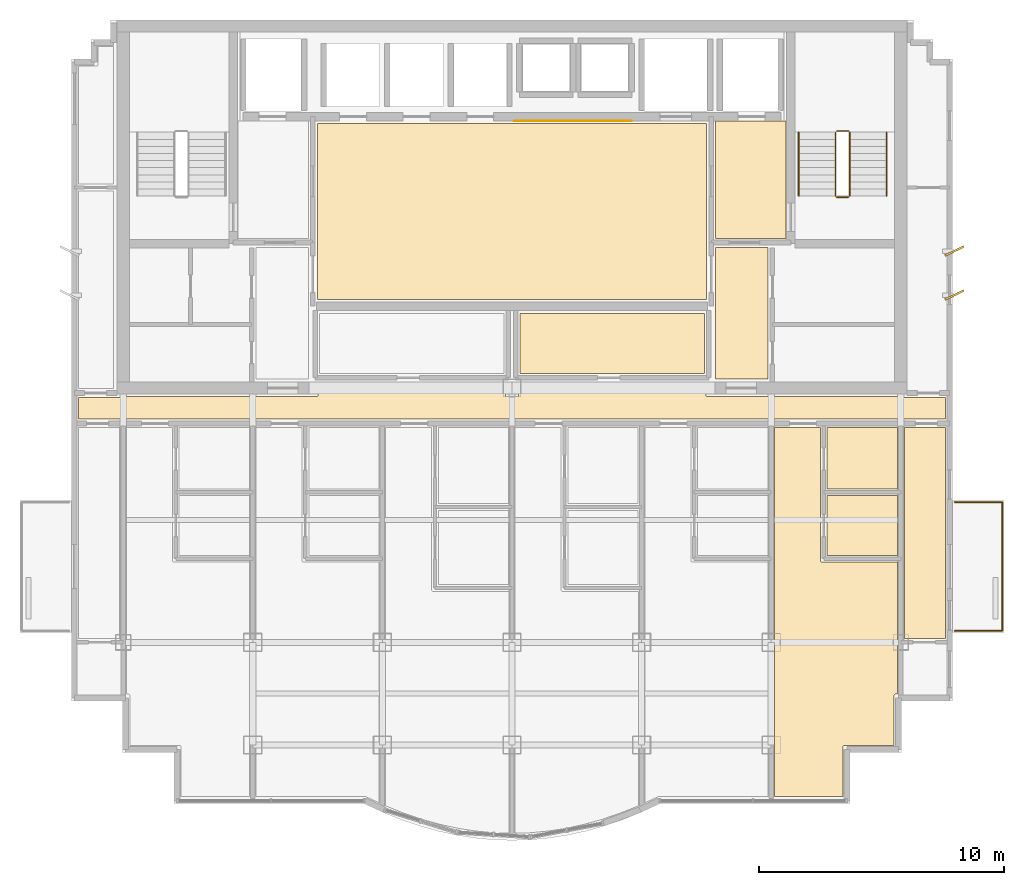
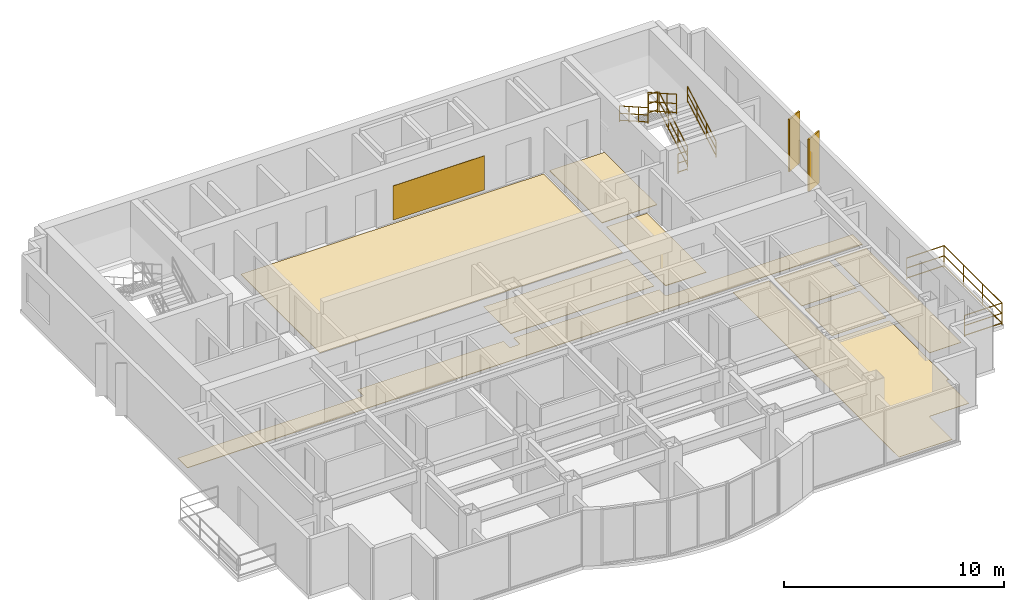
# One storey, part 9 of 9: 10 coverings, 7 railings, 2 shading devices.
"""IFC4 building model written with IfcOpenShell, lengths in metres."""

from ifc_helpers import new_model, si_unit, direction, frame, origin, origin_2d, place, context, subcontext, project, spatial, polyline, rectangle, circle, outline, extrude, source, transform, mapped, material, layer, layer_set, type_object, element, save


model = new_model("IFC4")

# Units and contexts
model_context = context("Model", 3, precision=1e-05, world=origin(), true_north=direction((0.0, 1.0)))
body_context = subcontext(model_context, "Body", "Model", "MODEL_VIEW")
ifc_project = project(units=[si_unit("LENGTHUNIT", "METRE"), si_unit("AREAUNIT", "SQUARE_METRE"), si_unit("VOLUMEUNIT", "CUBIC_METRE"), si_unit("PLANEANGLEUNIT", "RADIAN"), si_unit("MASSUNIT", "GRAM", prefix="KILO")], contexts=[model_context])

# Site, building, storey
site_placement = place(None, origin())
site = spatial("IfcSite", under=ifc_project, at=site_placement, CompositionType="ELEMENT")
building_placement = place(site_placement, origin())
building = spatial("IfcBuilding", under=site, at=building_placement, Name="Qianlan Lanfeng Residences", CompositionType="ELEMENT")
storey_placement = place(building_placement, frame((0.0, 0.0, 233.0)))
storey = spatial("IfcBuildingStorey", under=building, at=storey_placement, Name="L64", CompositionType="ELEMENT", Elevation=233.0)

# Coverings
ifc_material_1 = material(Name="Anodised Bronze Feature Wall Cladding")
ifc_layer_1 = layer(ifc_material_1, 0.02490234375)
ifc_layer_set_1 = layer_set([ifc_layer_1], Name="Anodised Bronze Feature Wall Cladding")
covering_type_1 = type_object("IfcCoveringType", Name="CLD-BRZ-25", PredefinedType="CLADDING", material=ifc_layer_set_1)
covering_1_placement = place(storey_placement, frame((0.0, 0.0, 0.14990234375)))
element("IfcCovering", 1, at=covering_1_placement, inside=storey, type_object=covering_type_1, Name="L64 Lift Lobby Bronze Feature Cladding", PredefinedType="CLADDING", context=body_context, shape_type="SweptSolid", body=[
    extrude(outline(polyline([(26.60009765625, 36.10009765625), (31.39990234375, 36.10009765625), (31.39990234375, 36.125), (26.60009765625, 36.125), (26.60009765625, 36.10009765625)])), origin(), (0.0, 0.0, 1.0), 1.900146484375),
])
ifc_material_2 = material(Name="Honed Taitung Granite Stone Flooring", Category="masonry")
ifc_layer_2 = layer(ifc_material_2, 0.030029296875)
ifc_layer_set_2 = layer_set([ifc_layer_2], Name="Honed Taitung Granite Stone Flooring")
covering_type_2 = type_object("IfcCoveringType", Name="FLR-STN-30", PredefinedType="FLOORING", material=ifc_layer_set_2)
covering_2_placement = place(storey_placement, origin())
element("IfcCovering", 2, at=covering_2_placement, inside=storey, type_object=covering_type_2, Name="L64 Firefighting Lift Lobby Floor Finish", PredefinedType="FLOORING", context=body_context, shape_type="SweptSolid", body=[
    extrude(outline(polyline([(34.820068359375, 31.320068359375), (37.7099609375, 31.320068359375), (37.7099609375, 36.110107421875), (34.820068359375, 36.110107421875), (34.820068359375, 31.320068359375)])), origin(), (0.0, 0.0, 1.0), 0.030029296875),
])
covering_3_placement = place(storey_placement, origin())
element("IfcCovering", 3, at=covering_3_placement, inside=storey, type_object=covering_type_2, Name="L64 Lift Lobby Floor Finish", PredefinedType="FLOORING", context=body_context, shape_type="SweptSolid", body=[
    extrude(outline(polyline([(18.550048828125, 28.820068359375), (34.449951171875, 28.820068359375), (34.449951171875, 36.010009765625), (18.550048828125, 36.010009765625), (18.550048828125, 28.820068359375)])), origin(), (0.0, 0.0, 1.0), 0.030029296875),
])
covering_4_placement = place(storey_placement, origin())
element("IfcCovering", 4, at=covering_4_placement, inside=storey, type_object=covering_type_2, Name="L64 Residential Corridor Floor Finish", PredefinedType="FLOORING", context=body_context, shape_type="SweptSolid", body=[
    extrude(outline(polyline([(8.77001953125, 23.929931640625), (44.22998046875, 23.929931640625), (44.22998046875, 24.820068359375), (42.5400390625, 24.820068359375), (42.532958984375, 24.820068359375), (42.52587890625, 24.821044921875), (42.52001953125, 24.822998046875), (42.512939453125, 24.824951171875), (42.507080078125, 24.827880859375), (42.5009765625, 24.83203125), (42.49609375, 24.8359375), (42.490966796875, 24.841064453125), (42.486083984375, 24.845947265625), (42.48291015625, 24.85009765625), (34.5, 24.85009765625), (34.492919921875, 24.85009765625), (34.486083984375, 24.85107421875), (34.47998046875, 24.85302734375), (34.472900390625, 24.85498046875), (34.467041015625, 24.85791015625), (34.4609375, 24.862060546875), (34.4560546875, 24.865966796875), (34.450927734375, 24.87109375), (34.446044921875, 24.8759765625), (34.44189453125, 24.881103515625), (34.43798828125, 24.886962890625), (34.43505859375, 24.89306640625), (34.43310546875, 24.89990234375), (34.430908203125, 24.906005859375), (34.429931640625, 24.9130859375), (34.429931640625, 24.919921875), (34.429931640625, 25.429931640625), (26.77001953125, 25.429931640625), (26.77001953125, 24.919921875), (26.77001953125, 24.9130859375), (26.76904296875, 24.906005859375), (26.76708984375, 24.89990234375), (26.764892578125, 24.89306640625), (26.761962890625, 24.886962890625), (26.758056640625, 24.881103515625), (26.75390625, 24.8759765625), (26.7490234375, 24.87109375), (26.743896484375, 24.865966796875), (26.739013671875, 24.862060546875), (26.73291015625, 24.85791015625), (26.72705078125, 24.85498046875), (26.719970703125, 24.85302734375), (26.714111328125, 24.85107421875), (26.70703125, 24.85009765625), (26.699951171875, 24.85009765625), (26.300048828125, 24.85009765625), (26.29296875, 24.85009765625), (26.285888671875, 24.85107421875), (26.280029296875, 24.85302734375), (26.27294921875, 24.85498046875), (26.26708984375, 24.85791015625), (26.260986328125, 24.862060546875), (26.256103515625, 24.865966796875), (26.2509765625, 24.87109375), (26.24609375, 24.8759765625), (26.241943359375, 24.881103515625), (26.238037109375, 24.886962890625), (26.235107421875, 24.89306640625), (26.23291015625, 24.89990234375), (26.23095703125, 24.906005859375), (26.22998046875, 24.9130859375), (26.22998046875, 24.919921875), (26.22998046875, 25.429931640625), (18.570068359375, 25.429931640625), (18.570068359375, 24.919921875), (18.570068359375, 24.9130859375), (18.569091796875, 24.906005859375), (18.56689453125, 24.89990234375), (18.56494140625, 24.89306640625), (18.56201171875, 24.886962890625), (18.55810546875, 24.881103515625), (18.553955078125, 24.8759765625), (18.549072265625, 24.87109375), (18.5439453125, 24.865966796875), (18.5390625, 24.862060546875), (18.532958984375, 24.85791015625), (18.527099609375, 24.85498046875), (18.52001953125, 24.85302734375), (18.513916015625, 24.85107421875), (18.507080078125, 24.85009765625), (18.5, 24.85009765625), (10.51708984375, 24.85009765625), (10.513916015625, 24.845947265625), (10.509033203125, 24.841064453125), (10.50390625, 24.8359375), (10.4990234375, 24.83203125), (10.492919921875, 24.827880859375), (10.487060546875, 24.824951171875), (10.47998046875, 24.822998046875), (10.47412109375, 24.821044921875), (10.467041015625, 24.820068359375), (10.4599609375, 24.820068359375), (8.77001953125, 24.820068359375), (8.77001953125, 23.929931640625)])), origin(), (0.0, 0.0, 1.0), 0.030029296875),
])
covering_5_placement = place(storey_placement, origin())
element("IfcCovering", 5, at=covering_5_placement, inside=storey, type_object=covering_type_2, Name="L64 Lift Lobby Floor Finish", PredefinedType="FLOORING", context=body_context, shape_type="SweptSolid", body=[
    extrude(outline(polyline([(34.830078125, 25.56005859375), (36.969970703125, 25.56005859375), (36.969970703125, 30.949951171875), (34.830078125, 30.949951171875), (34.830078125, 25.56005859375)])), origin(), (0.0, 0.0, 1.0), 0.030029296875),
])
ifc_material_3 = material(Name="Slip-Resistant Porcelain Tile Flooring")
ifc_layer_3 = layer(ifc_material_3, 0.02001953125)
ifc_layer_set_3 = layer_set([ifc_layer_3], Name="Slip-Resistant Porcelain Tile Flooring")
covering_type_3 = type_object("IfcCoveringType", Name="FLR-TIL-20", PredefinedType="FLOORING", material=ifc_layer_set_3)
covering_6_placement = place(storey_placement, origin())
element("IfcCovering", 6, at=covering_6_placement, inside=storey, type_object=covering_type_3, Name="L64 Kitchen Floor Finish", PredefinedType="FLOORING", context=body_context, shape_type="SweptSolid", body=[
    extrude(outline(polyline([(39.389892578125, 18.360107421875), (42.260009765625, 18.360107421875), (42.260009765625, 20.794921875), (39.389892578125, 20.794921875), (39.389892578125, 18.360107421875)])), origin(), (0.0, 0.0, 1.0), 0.02001953125),
])
covering_7_placement = place(storey_placement, origin())
element("IfcCovering", 7, at=covering_7_placement, inside=storey, type_object=covering_type_3, Name="L64 Bathroom Floor Finish", PredefinedType="FLOORING", context=body_context, shape_type="SweptSolid", body=[
    extrude(outline(polyline([(39.389892578125, 21.074951171875), (42.260009765625, 21.074951171875), (42.260009765625, 23.580078125), (39.389892578125, 23.580078125), (39.389892578125, 21.074951171875)])), origin(), (0.0, 0.0, 1.0), 0.02001953125),
])
ifc_material_4 = material(Name="Engineered Smoked Oak Timber Flooring", Category="wood")
ifc_layer_4 = layer(ifc_material_4, 0.02197265625)
ifc_layer_set_4 = layer_set([ifc_layer_4], Name="Engineered Smoked Oak Timber Flooring")
covering_type_4 = type_object("IfcCoveringType", Name="FLR-TIM-22", PredefinedType="FLOORING", material=ifc_layer_set_4)
covering_8_placement = place(storey_placement, origin())
element("IfcCovering", 8, at=covering_8_placement, inside=storey, type_object=covering_type_4, Name="L64 Tea Room Floor Finish", PredefinedType="FLOORING", context=body_context, shape_type="SweptSolid", body=[
    extrude(outline(polyline([(26.830078125, 25.800048828125), (34.3701171875, 25.800048828125), (34.3701171875, 28.2548828125), (26.830078125, 28.2548828125), (26.830078125, 25.800048828125)])), origin(), (0.0, 0.0, 1.0), 0.02197265625),
])
covering_9_placement = place(storey_placement, origin())
element("IfcCovering", 9, at=covering_9_placement, inside=storey, type_object=covering_type_4, Name="L64 Studio Living Room Floor Finish", PredefinedType="FLOORING", context=body_context, shape_type="SweptSolid", body=[
    extrude(outline(polyline([(42.27001953125, 12.68994140625), (42.27001953125, 18.080078125), (39.179931640625, 18.080078125), (39.173095703125, 18.080078125), (39.166015625, 18.0810546875), (39.159912109375, 18.0830078125), (39.153076171875, 18.0849609375), (39.14697265625, 18.087890625), (39.14111328125, 18.092041015625), (39.135986328125, 18.095947265625), (39.131103515625, 18.10107421875), (39.1259765625, 18.10595703125), (39.1220703125, 18.111083984375), (39.117919921875, 18.116943359375), (39.114990234375, 18.123046875), (39.113037109375, 18.1298828125), (39.111083984375, 18.135986328125), (39.110107421875, 18.14306640625), (39.110107421875, 18.14990234375), (39.110107421875, 23.580078125), (37.22998046875, 23.580078125), (37.22998046875, 8.489990234375), (40.030029296875, 8.489990234375), (40.030029296875, 10.52001953125), (40.030029296875, 10.527099609375), (40.031005859375, 10.533935546875), (40.032958984375, 10.5400390625), (40.034912109375, 10.547119140625), (40.0380859375, 10.552978515625), (40.0419921875, 10.55908203125), (40.0458984375, 10.56396484375), (40.051025390625, 10.569091796875), (40.055908203125, 10.573974609375), (40.06103515625, 10.577880859375), (40.06689453125, 10.58203125), (40.072998046875, 10.5849609375), (40.080078125, 10.5869140625), (40.0859375, 10.589111328125), (40.093017578125, 10.590087890625), (40.10009765625, 10.590087890625), (42.1298828125, 10.590087890625), (42.1298828125, 12.6201171875), (42.1298828125, 12.626953125), (42.131103515625, 12.634033203125), (42.133056640625, 12.639892578125), (42.135009765625, 12.64697265625), (42.137939453125, 12.653076171875), (42.14208984375, 12.658935546875), (42.14599609375, 12.6640625), (42.15087890625, 12.6689453125), (42.156005859375, 12.674072265625), (42.160888671875, 12.677978515625), (42.1669921875, 12.681884765625), (42.173095703125, 12.68505859375), (42.179931640625, 12.68701171875), (42.18603515625, 12.68896484375), (42.193115234375, 12.68994140625), (42.199951171875, 12.68994140625), (42.27001953125, 12.68994140625)])), origin(), (0.0, 0.0, 1.0), 0.02197265625),
])
covering_10_placement = place(storey_placement, origin())
element("IfcCovering", 10, at=covering_10_placement, inside=storey, type_object=covering_type_4, Name="L64 Private Study Floor Finish", PredefinedType="FLOORING", context=body_context, shape_type="SweptSolid", body=[
    extrude(outline(polyline([(44.22998046875, 23.580078125), (42.56005859375, 23.580078125), (42.56005859375, 14.949951171875), (44.22998046875, 14.949951171875), (44.22998046875, 23.580078125)])), origin(), (0.0, 0.0, 1.0), 0.02197265625),
])

# Railings
ifc_material_5 = material(Name="Anodised Bronze Aluminium and Laminated Glass Guard Balustrade", Category="aluminium")
railing_type_1 = type_object("IfcRailingType", Name="GR-EXT-1220", PredefinedType="BALUSTRADE", material=ifc_material_5)
railing_1_placement = place(storey_placement, frame((44.590087890625, 20.530029296875, 0.0)))
element("IfcRailing", 11, at=railing_1_placement, inside=storey, type_object=railing_type_1, Name="L64 Terrace Safety Guard GR-L64-EB-N", PredefinedType="BALUSTRADE", context=body_context, shape_type="SweptSolid", body=[
    extrude(circle(Radius=0.02490234375, at=origin_2d()), frame((0.0, 0.0, 0.0849609375), z_axis=(1.0, 0.0, 0.0), x_axis=(0.0, 1.0, 0.0)), (0.0, 0.0, 1.0), 1.9599609375),
    extrude(circle(Radius=0.02490234375, at=origin_2d()), frame((0.0, 0.0, 0.63427734375), z_axis=(1.0, 0.0, 0.0), x_axis=(0.0, 1.0, 0.0)), (0.0, 0.0, 1.0), 1.9599609375),
    extrude(circle(Radius=0.02490234375, at=origin_2d()), frame((0.0, 0.0, 1.19482421875), z_axis=(1.0, 0.0, 0.0), x_axis=(0.0, 1.0, 0.0)), (0.0, 0.0, 1.0), 1.9599609375),
    extrude(circle(Radius=0.02490234375, at=origin_2d()), frame((1.9599609375, 0.0, 0.0849609375), z_axis=(0.0, -1.0, 0.0), x_axis=(1.0, 0.0, 0.0)), (0.0, 0.0, 1.0), 5.260009765625),
    extrude(circle(Radius=0.02490234375, at=origin_2d()), frame((1.9599609375, 0.0, 0.63427734375), z_axis=(0.0, -1.0, 0.0), x_axis=(1.0, 0.0, 0.0)), (0.0, 0.0, 1.0), 5.260009765625),
    extrude(circle(Radius=0.02490234375, at=origin_2d()), frame((1.9599609375, 0.0, 1.19482421875), z_axis=(0.0, -1.0, 0.0), x_axis=(1.0, 0.0, 0.0)), (0.0, 0.0, 1.0), 5.260009765625),
    extrude(circle(Radius=0.02490234375, at=origin_2d()), frame((1.9599609375, -5.260009765625, 0.0849609375), z_axis=(-1.0, 0.0, 0.0), x_axis=(0.0, -1.0, 0.0)), (0.0, 0.0, 1.0), 1.9599609375),
    extrude(circle(Radius=0.02490234375, at=origin_2d()), frame((1.9599609375, -5.260009765625, 0.63427734375), z_axis=(-1.0, 0.0, 0.0), x_axis=(0.0, -1.0, 0.0)), (0.0, 0.0, 1.0), 1.9599609375),
    extrude(circle(Radius=0.02490234375, at=origin_2d()), frame((1.9599609375, -5.260009765625, 1.19482421875), z_axis=(-1.0, 0.0, 0.0), x_axis=(0.0, -1.0, 0.0)), (0.0, 0.0, 1.0), 1.9599609375),
    extrude(circle(Radius=0.02099609375, at=origin_2d()), origin(), (0.0, 0.0, 1.0), 1.169921875),
    extrude(circle(Radius=0.02099609375, at=origin_2d()), frame((1.9599609375, 0.0, 0.0)), (0.0, 0.0, 1.0), 1.169921875),
    extrude(circle(Radius=0.02099609375, at=origin_2d()), frame((1.9599609375, -1.75341796875, 0.0)), (0.0, 0.0, 1.0), 1.169921875),
    extrude(circle(Radius=0.02099609375, at=origin_2d()), frame((1.9599609375, -3.506591796875, 0.0)), (0.0, 0.0, 1.0), 1.169921875),
    extrude(circle(Radius=0.02099609375, at=origin_2d()), frame((1.9599609375, -5.260009765625, 0.0)), (0.0, 0.0, 1.0), 1.169921875),
    extrude(circle(Radius=0.02099609375, at=origin_2d()), frame((0.0, -5.260009765625, 0.0)), (0.0, 0.0, 1.0), 1.169921875),
])
ifc_material_6 = material(Name="Painted Galvanised Steel Guardrail", Category="steel")
railing_type_2 = type_object("IfcRailingType", Name="GR-ST-1120", PredefinedType="GUARDRAIL", material=ifc_material_6)
railing_2_placement = place(storey_placement, frame((40.31005859375, 33.050048828125, 0.1650390625)))
element("IfcRailing", 12, at=railing_2_placement, inside=storey, type_object=railing_type_2, Name="L64 ST-2 stair guard 1", PredefinedType="GUARDRAIL", context=body_context, shape_type="SweptSolid", body=[
    extrude(circle(Radius=0.02392578125, at=origin_2d()), frame((0.0, 0.0, 0.083984375), z_axis=(0.0, 0.869172267526, 0.494509422927), x_axis=(-1.0, 0.0, 0.0)), (0.0, 0.0, 1.0), 3.002685546875),
    extrude(circle(Radius=0.02392578125, at=origin_2d()), frame((0.0, 0.0, 0.58251953125), z_axis=(0.0, 0.869172267526, 0.494509422927), x_axis=(-1.0, 0.0, 0.0)), (0.0, 0.0, 1.0), 3.002685546875),
    extrude(circle(Radius=0.02392578125, at=origin_2d()), frame((0.0, 0.0, 1.09619140625), z_axis=(0.0, 0.869172267526, 0.494509422927), x_axis=(-1.0, 0.0, 0.0)), (0.0, 0.0, 1.0), 3.002685546875),
    extrude(circle(Radius=0.02099609375, at=origin_2d()), origin(), (0.0, 0.0, 1.0), 1.072021484375),
    extrude(circle(Radius=0.02099609375, at=origin_2d()), frame((0.0, 0.869873046875, 0.494873046875)), (0.0, 0.0, 1.0), 1.072021484375),
    extrude(circle(Radius=0.02099609375, at=origin_2d()), frame((0.0, 1.739990234375, 0.989990234375)), (0.0, 0.0, 1.0), 1.072021484375),
    extrude(circle(Radius=0.02099609375, at=origin_2d()), frame((0.0, 2.60986328125, 1.48486328125)), (0.0, 0.0, 1.0), 1.072021484375),
])
railing_3_placement = place(storey_placement, frame((40.260009765625, 35.7099609375, 1.64990234375)))
element("IfcRailing", 13, at=railing_3_placement, inside=storey, type_object=railing_type_2, Name="L64 ST-2 stair guard 2", PredefinedType="GUARDRAIL", context=body_context, shape_type="SweptSolid", body=[
    extrude(circle(Radius=0.02392578125, at=origin_2d()), frame((0.0, 0.0, 0.083984375), z_axis=(-1.0, 0.0, 0.0), x_axis=(0.0, -1.0, 0.0)), (0.0, 0.0, 1.0), 0.47998046875),
    extrude(circle(Radius=0.02392578125, at=origin_2d()), frame((0.0, 0.0, 0.58251953125), z_axis=(-1.0, 0.0, 0.0), x_axis=(0.0, -1.0, 0.0)), (0.0, 0.0, 1.0), 0.47998046875),
    extrude(circle(Radius=0.02392578125, at=origin_2d()), frame((0.0, 0.0, 1.09619140625), z_axis=(-1.0, 0.0, 0.0), x_axis=(0.0, -1.0, 0.0)), (0.0, 0.0, 1.0), 0.47998046875),
    extrude(circle(Radius=0.02099609375, at=origin_2d()), origin(), (0.0, 0.0, 1.0), 1.072021484375),
    extrude(circle(Radius=0.02099609375, at=origin_2d()), frame((-0.47998046875, 0.0, 0.0)), (0.0, 0.0, 1.0), 1.072021484375),
])
railing_4_placement = place(storey_placement, frame((39.72998046875, 35.659912109375, 1.81494140625)))
element("IfcRailing", 14, at=railing_4_placement, inside=storey, type_object=railing_type_2, Name="L64 ST-2 stair guard 3", PredefinedType="GUARDRAIL", context=body_context, shape_type="SweptSolid", body=[
    extrude(circle(Radius=0.02392578125, at=origin_2d()), frame((0.0, 0.0, 0.083984375), z_axis=(0.0, -0.869137319866, 0.494570843475), x_axis=(1.0, 0.0, 0.0)), (0.0, 0.0, 1.0), 3.0029296875),
    extrude(circle(Radius=0.02392578125, at=origin_2d()), frame((0.0, 0.0, 0.58251953125), z_axis=(0.0, -0.869137319866, 0.494570843475), x_axis=(1.0, 0.0, 0.0)), (0.0, 0.0, 1.0), 3.0029296875),
    extrude(circle(Radius=0.02392578125, at=origin_2d()), frame((0.0, 0.0, 1.09619140625), z_axis=(0.0, -0.869137319866, 0.494570843475), x_axis=(1.0, 0.0, 0.0)), (0.0, 0.0, 1.0), 3.0029296875),
    extrude(circle(Radius=0.02099609375, at=origin_2d()), origin(), (0.0, 0.0, 1.0), 1.072021484375),
    extrude(circle(Radius=0.02099609375, at=origin_2d()), frame((0.0, -0.869873046875, 0.4951171875)), (0.0, 0.0, 1.0), 1.072021484375),
    extrude(circle(Radius=0.02099609375, at=origin_2d()), frame((0.0, -1.739990234375, 0.989990234375)), (0.0, 0.0, 1.0), 1.072021484375),
    extrude(circle(Radius=0.02099609375, at=origin_2d()), frame((0.0, -2.60986328125, 1.485107421875)), (0.0, 0.0, 1.0), 1.072021484375),
])
railing_5_placement = place(storey_placement, frame((40.260009765625, 33.0, 0.0)))
element("IfcRailing", 15, at=railing_5_placement, inside=storey, type_object=railing_type_2, Name="L64 ST-2 stair guard 4", PredefinedType="GUARDRAIL", context=body_context, shape_type="SweptSolid", body=[
    extrude(circle(Radius=0.02392578125, at=origin_2d()), frame((0.0, 0.0, 0.083984375), z_axis=(-1.0, 0.0, 0.0), x_axis=(0.0, -1.0, 0.0)), (0.0, 0.0, 1.0), 0.47998046875),
    extrude(circle(Radius=0.02392578125, at=origin_2d()), frame((0.0, 0.0, 0.58251953125), z_axis=(-1.0, 0.0, 0.0), x_axis=(0.0, -1.0, 0.0)), (0.0, 0.0, 1.0), 0.47998046875),
    extrude(circle(Radius=0.02392578125, at=origin_2d()), frame((0.0, 0.0, 1.09619140625), z_axis=(-1.0, 0.0, 0.0), x_axis=(0.0, -1.0, 0.0)), (0.0, 0.0, 1.0), 0.47998046875),
    extrude(circle(Radius=0.02099609375, at=origin_2d()), origin(), (0.0, 0.0, 1.0), 1.072021484375),
    extrude(circle(Radius=0.02099609375, at=origin_2d()), frame((-0.47998046875, 0.0, 0.0)), (0.0, 0.0, 1.0), 1.072021484375),
])
ifc_material_7 = material(Name="Brushed Stainless Steel Handrail", Category="steel")
railing_type_3 = type_object("IfcRailingType", Name="HR-ST-920", PredefinedType="HANDRAIL", material=ifc_material_7)
railing_6_placement = place(storey_placement, frame((41.81005859375, 33.050048828125, 0.1650390625)))
element("IfcRailing", 16, at=railing_6_placement, inside=storey, type_object=railing_type_3, Name="L64 ST-2 stair handrail 1", PredefinedType="HANDRAIL", context=body_context, shape_type="SweptSolid", body=[
    extrude(circle(Radius=0.02392578125, at=origin_2d()), frame((0.0, 0.0, 0.083984375), z_axis=(0.0, 0.869172267526, 0.494509422927), x_axis=(-1.0, 0.0, 0.0)), (0.0, 0.0, 1.0), 3.002685546875),
    extrude(circle(Radius=0.02392578125, at=origin_2d()), frame((0.0, 0.0, 0.468017578125), z_axis=(0.0, 0.869172267526, 0.494509422927), x_axis=(-1.0, 0.0, 0.0)), (0.0, 0.0, 1.0), 3.002685546875),
    extrude(circle(Radius=0.02392578125, at=origin_2d()), frame((0.0, 0.0, 0.8759765625), z_axis=(0.0, 0.869172267526, 0.494509422927), x_axis=(-1.0, 0.0, 0.0)), (0.0, 0.0, 1.0), 3.002685546875),
    extrude(circle(Radius=0.02099609375, at=origin_2d()), origin(), (0.0, 0.0, 1.0), 0.851806640625),
    extrude(circle(Radius=0.02099609375, at=origin_2d()), frame((0.0, 0.869873046875, 0.494873046875)), (0.0, 0.0, 1.0), 0.851806640625),
    extrude(circle(Radius=0.02099609375, at=origin_2d()), frame((0.0, 1.739990234375, 0.989990234375)), (0.0, 0.0, 1.0), 0.851806640625),
    extrude(circle(Radius=0.02099609375, at=origin_2d()), frame((0.0, 2.60986328125, 1.48486328125)), (0.0, 0.0, 1.0), 0.851806640625),
])
railing_7_placement = place(storey_placement, frame((38.22998046875, 35.659912109375, 1.81494140625)))
element("IfcRailing", 17, at=railing_7_placement, inside=storey, type_object=railing_type_3, Name="L64 ST-2 stair handrail 2", PredefinedType="HANDRAIL", context=body_context, shape_type="SweptSolid", body=[
    extrude(circle(Radius=0.02392578125, at=origin_2d()), frame((0.0, 0.0, 0.083984375), z_axis=(0.0, -0.869137319866, 0.494570843475), x_axis=(1.0, 0.0, 0.0)), (0.0, 0.0, 1.0), 3.0029296875),
    extrude(circle(Radius=0.02392578125, at=origin_2d()), frame((0.0, 0.0, 0.468017578125), z_axis=(0.0, -0.869137319866, 0.494570843475), x_axis=(1.0, 0.0, 0.0)), (0.0, 0.0, 1.0), 3.0029296875),
    extrude(circle(Radius=0.02392578125, at=origin_2d()), frame((0.0, 0.0, 0.8759765625), z_axis=(0.0, -0.869137319866, 0.494570843475), x_axis=(1.0, 0.0, 0.0)), (0.0, 0.0, 1.0), 3.0029296875),
    extrude(circle(Radius=0.02099609375, at=origin_2d()), origin(), (0.0, 0.0, 1.0), 0.851806640625),
    extrude(circle(Radius=0.02099609375, at=origin_2d()), frame((0.0, -0.869873046875, 0.4951171875)), (0.0, 0.0, 1.0), 0.851806640625),
    extrude(circle(Radius=0.02099609375, at=origin_2d()), frame((0.0, -1.739990234375, 0.989990234375)), (0.0, 0.0, 1.0), 0.851806640625),
    extrude(circle(Radius=0.02099609375, at=origin_2d()), frame((0.0, -2.60986328125, 1.485107421875)), (0.0, 0.0, 1.0), 0.851806640625),
])

# Shading devices
ifc_material_8 = material(Name="Anodised Bronze Aluminium Solar Fin", Category="aluminium")
shading_device_type = type_object("IfcShadingDeviceType", Name="FIN-BRZ-850", PredefinedType="SHUTTER", material=ifc_material_8)
shared_shape = source(origin(), body_context, "Body", "SweptSolid", [
    extrude(rectangle(XDim=0.85009765625, YDim=0.080078125, at=origin_2d()), origin(), (0.0, 0.0, 1.0), 2.89990234375),
])
for number, where, z_axis, x_axis, name in (
    (18, (44.590087890625, 29.0, 0.0), (0.0, 0.0, 1.0), (0.898794046299, 0.438371146789, 0.0), "L64 Raked Bronze Solar Fin E1"),
    (19, (44.590087890625, 30.800048828125, 0.0), (0.0, 0.0, 1.0), (0.898794046299, 0.438371146789, 0.0), "L64 Raked Bronze Solar Fin E2"),
):
    element("IfcShadingDevice", number, at=place(storey_placement, frame(where, z_axis=z_axis, x_axis=x_axis)), inside=storey, type_object=shading_device_type, Name=name, PredefinedType="SHUTTER", context=body_context, shape_type="MappedRepresentation", body=[
        mapped(shared_shape, transform((0.0, 0.0, 0.0), scale=1.0)),
    ])

save(model, "model.ifc")
